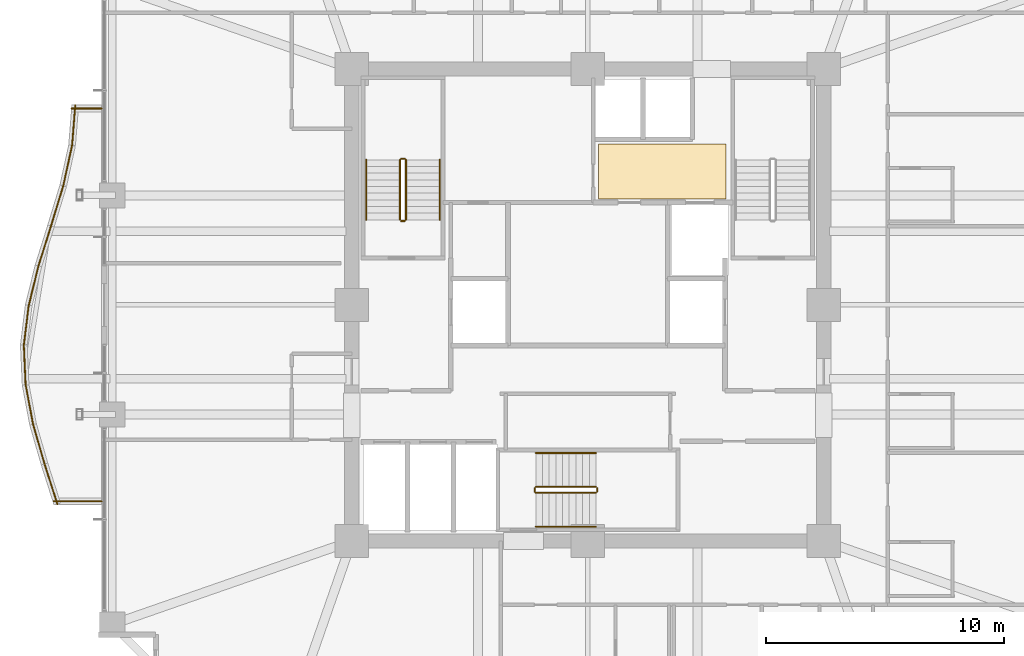
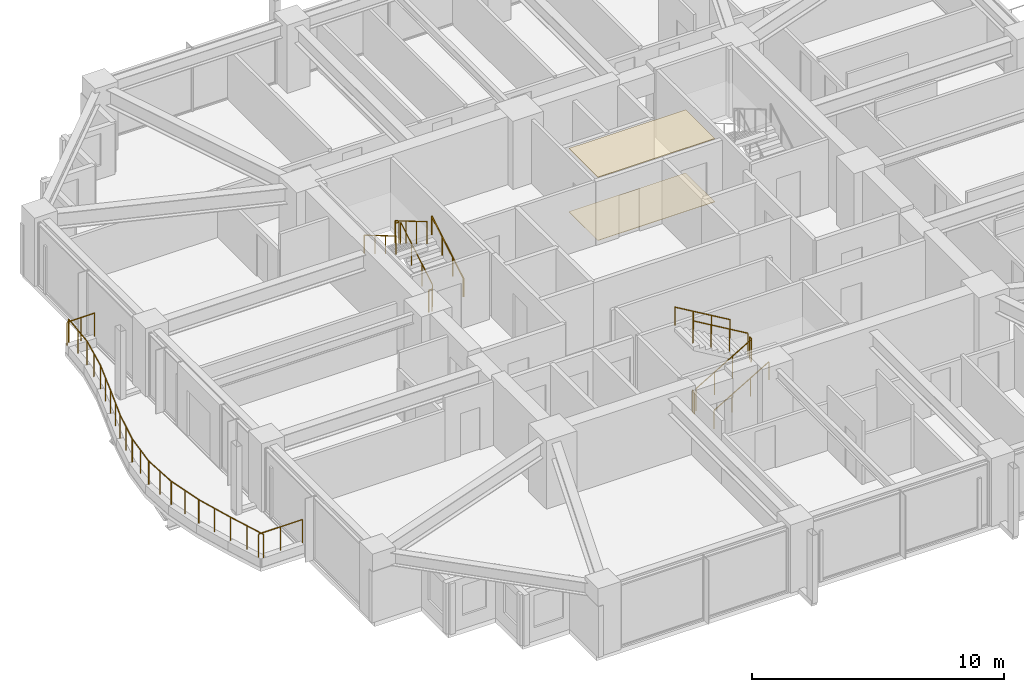
# One storey, part 36 of 37: 24 railings, 2 coverings.
"""IFC4 building model written with IfcOpenShell, lengths in metres."""

from ifc_helpers import new_model, si_unit, direction, frame, origin, origin_2d, place, context, subcontext, project, spatial, polyline, circle, outline, extrude, material, layer, layer_set, type_object, element, save


model = new_model("IFC4")

# Units and contexts
model_context = context("Model", 3, precision=1e-05, world=origin(), true_north=direction((0.0, 1.0)))
body_context = subcontext(model_context, "Body", "Model", "MODEL_VIEW")
ifc_project = project(units=[si_unit("LENGTHUNIT", "METRE"), si_unit("AREAUNIT", "SQUARE_METRE"), si_unit("VOLUMEUNIT", "CUBIC_METRE"), si_unit("PLANEANGLEUNIT", "RADIAN"), si_unit("MASSUNIT", "GRAM", prefix="KILO")], contexts=[model_context])

# Site, building, storey
site_placement = place(None, origin())
site = spatial("IfcSite", under=ifc_project, at=site_placement, CompositionType="ELEMENT")
building_placement = place(site_placement, origin())
building = spatial("IfcBuilding", under=site, at=building_placement, Name="Kolvaren Belvedere", CompositionType="ELEMENT")
storey_placement = place(building_placement, frame((0.0, 0.0, 75.5)))
storey = spatial("IfcBuildingStorey", under=building, at=storey_placement, Name="L21", CompositionType="ELEMENT", Elevation=75.5)

# Coverings
ifc_material_1 = material(Name="Acoustic perforated gypsum board", Category="gypsum")
ifc_layer_1 = layer(ifc_material_1, 0.02490234375)
ifc_layer_set_1 = layer_set([ifc_layer_1], Name="Acoustic perforated gypsum board")
covering_type_1 = type_object("IfcCoveringType", Name="COV-CEIL-GYP", PredefinedType="CEILING", material=ifc_layer_set_1)
covering_1_placement = place(storey_placement, frame((0.0, 0.0, 3.054931640625)))
element("IfcCovering", 1, at=covering_1_placement, inside=storey, type_object=covering_type_1, Name="L21 Lift Lobby Acoustic Baffle Ceiling", PredefinedType="CEILING", context=body_context, shape_type="SweptSolid", body=[
    extrude(outline(polyline([(0.449951171875, 4.449951171875), (5.800048828125, 4.449951171875), (5.800048828125, 6.75), (0.449951171875, 6.75), (0.449951171875, 4.449951171875)])), origin(), (0.0, 0.0, 1.0), 0.025146484375),
])
ifc_material_2 = material(Name="Engineered Pacific white oak", Category="timber")
ifc_layer_2 = layer(ifc_material_2, 0.02001953125)
ifc_layer_set_2 = layer_set([ifc_layer_2], Name="Engineered Pacific white oak")
covering_type_2 = type_object("IfcCoveringType", Name="COV-FLR-OAK", PredefinedType="FLOORING", material=ifc_layer_set_2)
covering_2_placement = place(storey_placement, origin())
element("IfcCovering", 2, at=covering_2_placement, inside=storey, type_object=covering_type_2, Name="L21 Lift Lobby Finish Flooring", PredefinedType="FLOORING", context=body_context, shape_type="SweptSolid", body=[
    extrude(outline(polyline([(0.449951171875, 4.449951171875), (5.800048828125, 4.449951171875), (5.800048828125, 6.75), (0.449951171875, 6.75), (0.449951171875, 4.449951171875)])), origin(), (0.0, 0.0, 1.0), 0.02001953125),
])

# Railings
ifc_material_3 = material(Name="Anodised pale-metal aluminium & laminated glass guard", Category="aluminium")
railing_type_1 = type_object("IfcRailingType", Name="RL-GUARD-1150", PredefinedType="GUARDRAIL", material=ifc_material_3)
railing_1_placement = place(storey_placement, frame((-21.50048828125, 8.38720703125, 0.3798828125)))
element("IfcRailing", 3, at=railing_1_placement, inside=storey, type_object=railing_type_1, Name="L21 Exterior Deck Safety Guard BAL-W-1", PredefinedType="GUARDRAIL", context=body_context, shape_type="SweptSolid", body=[
    extrude(circle(Radius=0.02392578125, at=origin_2d()), frame((0.0, 0.0, 1.1259765625), z_axis=(-0.079244268248, -0.99685522818, 0.0), x_axis=(0.99685522818, -0.079244268248, 0.0)), (0.0, 0.0, 1.0), 1.685302734375),
    extrude(circle(Radius=0.02099609375, at=origin_2d()), origin(), (0.0, 0.0, 1.0), 1.101806640625),
    extrude(circle(Radius=0.02099609375, at=origin_2d()), frame((-0.06689453125, -0.83984375, 0.0)), (0.0, 0.0, 1.0), 1.101806640625),
    extrude(circle(Radius=0.02099609375, at=origin_2d()), frame((-0.133544921875, -1.679931640625, 0.0)), (0.0, 0.0, 1.0), 1.101806640625),
])
railing_2_placement = place(storey_placement, frame((-21.63720703125, 6.685791015625, 0.3798828125)))
element("IfcRailing", 4, at=railing_2_placement, inside=storey, type_object=railing_type_1, Name="L21 Exterior Deck Safety Guard BAL-W-2", PredefinedType="GUARDRAIL", context=body_context, shape_type="SweptSolid", body=[
    extrude(circle(Radius=0.02392578125, at=origin_2d()), frame((0.0, 0.0, 1.1259765625), z_axis=(-0.213802724545, -0.976876857632, 0.0), x_axis=(0.976876857632, -0.213802724545, 0.0)), (0.0, 0.0, 1.0), 1.7197265625),
    extrude(circle(Radius=0.02099609375, at=origin_2d()), origin(), (0.0, 0.0, 1.0), 1.101806640625),
    extrude(circle(Radius=0.02099609375, at=origin_2d()), frame((-0.183837890625, -0.83984375, 0.0)), (0.0, 0.0, 1.0), 1.101806640625),
    extrude(circle(Radius=0.02099609375, at=origin_2d()), frame((-0.36767578125, -1.679931640625, 0.0)), (0.0, 0.0, 1.0), 1.101806640625),
])
railing_3_placement = place(storey_placement, frame((-22.00830078125, 4.993408203125, 0.3798828125)))
element("IfcRailing", 5, at=railing_3_placement, inside=storey, type_object=railing_type_1, Name="L21 Exterior Deck Safety Guard BAL-W-3", PredefinedType="GUARDRAIL", context=body_context, shape_type="SweptSolid", body=[
    extrude(circle(Radius=0.02392578125, at=origin_2d()), frame((0.0, 0.0, 1.1259765625), z_axis=(-0.290879426191, -0.956759718748, 0.0), x_axis=(0.956759718748, -0.290879426191, 0.0)), (0.0, 0.0, 1.0), 1.755859375),
    extrude(circle(Radius=0.02099609375, at=origin_2d()), origin(), (0.0, 0.0, 1.0), 1.101806640625),
    extrude(circle(Radius=0.02099609375, at=origin_2d()), frame((-0.25537109375, -0.83984375, 0.0)), (0.0, 0.0, 1.0), 1.101806640625),
    extrude(circle(Radius=0.02099609375, at=origin_2d()), frame((-0.5107421875, -1.679931640625, 0.0)), (0.0, 0.0, 1.0), 1.101806640625),
])
railing_4_placement = place(storey_placement, frame((-22.51953125, 3.31201171875, 0.3798828125)))
element("IfcRailing", 6, at=railing_4_placement, inside=storey, type_object=railing_type_1, Name="L21 Exterior Deck Safety Guard BAL-W-4", PredefinedType="GUARDRAIL", context=body_context, shape_type="SweptSolid", body=[
    extrude(circle(Radius=0.02392578125, at=origin_2d()), frame((0.0, 0.0, 1.1259765625), z_axis=(-0.299624691176, -0.954057149461, 0.0), x_axis=(0.954057149461, -0.299624691176, 0.0)), (0.0, 0.0, 1.0), 1.7607421875),
    extrude(circle(Radius=0.02099609375, at=origin_2d()), origin(), (0.0, 0.0, 1.0), 1.101806640625),
    extrude(circle(Radius=0.02099609375, at=origin_2d()), frame((-0.263671875, -0.83984375, 0.0)), (0.0, 0.0, 1.0), 1.101806640625),
    extrude(circle(Radius=0.02099609375, at=origin_2d()), frame((-0.527587890625, -1.679931640625, 0.0)), (0.0, 0.0, 1.0), 1.101806640625),
])
railing_5_placement = place(storey_placement, frame((-23.04443359375, 1.6416015625, 0.3798828125)))
element("IfcRailing", 7, at=railing_5_placement, inside=storey, type_object=railing_type_1, Name="L21 Exterior Deck Safety Guard BAL-W-5", PredefinedType="GUARDRAIL", context=body_context, shape_type="SweptSolid", body=[
    extrude(circle(Radius=0.02392578125, at=origin_2d()), frame((0.0, 0.0, 1.1259765625), z_axis=(-0.239180748277, -0.970975061293, 0.0), x_axis=(0.970975061293, -0.239180748277, 0.0)), (0.0, 0.0, 1.0), 1.730224609375),
    extrude(circle(Radius=0.02099609375, at=origin_2d()), origin(), (0.0, 0.0, 1.0), 1.101806640625),
    extrude(circle(Radius=0.02099609375, at=origin_2d()), frame((-0.20703125, -0.83984375, 0.0)), (0.0, 0.0, 1.0), 1.101806640625),
    extrude(circle(Radius=0.02099609375, at=origin_2d()), frame((-0.413818359375, -1.679931640625, 0.0)), (0.0, 0.0, 1.0), 1.101806640625),
])
railing_6_placement = place(storey_placement, frame((-23.454833984375, -0.01953125, 0.3798828125)))
element("IfcRailing", 8, at=railing_6_placement, inside=storey, type_object=railing_type_1, Name="L21 Exterior Deck Safety Guard BAL-W-6", PredefinedType="GUARDRAIL", context=body_context, shape_type="SweptSolid", body=[
    extrude(circle(Radius=0.02392578125, at=origin_2d()), frame((0.0, 0.0, 1.1259765625), z_axis=(-0.121886315522, -0.99254406758, 0.0), x_axis=(0.99254406758, -0.121886315522, 0.0)), (0.0, 0.0, 1.0), 1.692626953125),
    extrude(circle(Radius=0.02099609375, at=origin_2d()), origin(), (0.0, 0.0, 1.0), 1.101806640625),
    extrude(circle(Radius=0.02099609375, at=origin_2d()), frame((-0.10302734375, -0.83984375, 0.0)), (0.0, 0.0, 1.0), 1.101806640625),
    extrude(circle(Radius=0.02099609375, at=origin_2d()), frame((-0.206298828125, -1.679931640625, 0.0)), (0.0, 0.0, 1.0), 1.101806640625),
])
railing_7_placement = place(storey_placement, frame((-23.66015625, -1.6728515625, 0.3798828125)))
element("IfcRailing", 9, at=railing_7_placement, inside=storey, type_object=railing_type_1, Name="L21 Exterior Deck Safety Guard BAL-W-7", PredefinedType="GUARDRAIL", context=body_context, shape_type="SweptSolid", body=[
    extrude(circle(Radius=0.02392578125, at=origin_2d()), frame((0.0, 0.0, 1.1259765625), z_axis=(0.045005941428, -0.998986719249, 0.0), x_axis=(0.998986719249, 0.045005941428, 0.0)), (0.0, 0.0, 1.0), 1.681640625),
    extrude(circle(Radius=0.02099609375, at=origin_2d()), origin(), (0.0, 0.0, 1.0), 1.101806640625),
    extrude(circle(Radius=0.02099609375, at=origin_2d()), frame((0.037841796875, -0.83984375, 0.0)), (0.0, 0.0, 1.0), 1.101806640625),
    extrude(circle(Radius=0.02099609375, at=origin_2d()), frame((0.07568359375, -1.679931640625, 0.0)), (0.0, 0.0, 1.0), 1.101806640625),
])
railing_8_placement = place(storey_placement, frame((-23.5869140625, -3.330322265625, 0.3798828125)))
element("IfcRailing", 10, at=railing_8_placement, inside=storey, type_object=railing_type_1, Name="L21 Exterior Deck Safety Guard BAL-W-8", PredefinedType="GUARDRAIL", context=body_context, shape_type="SweptSolid", body=[
    extrude(circle(Radius=0.02392578125, at=origin_2d()), frame((0.0, 0.0, 1.1259765625), z_axis=(0.184650661912, -0.982804219087, 0.0), x_axis=(0.982804219087, 0.184650661912, 0.0)), (0.0, 0.0, 1.0), 1.70947265625),
    extrude(circle(Radius=0.02099609375, at=origin_2d()), origin(), (0.0, 0.0, 1.0), 1.101806640625),
    extrude(circle(Radius=0.02099609375, at=origin_2d()), frame((0.15771484375, -0.840087890625, 0.0)), (0.0, 0.0, 1.0), 1.101806640625),
    extrude(circle(Radius=0.02099609375, at=origin_2d()), frame((0.315673828125, -1.68017578125, 0.0)), (0.0, 0.0, 1.0), 1.101806640625),
])
railing_9_placement = place(storey_placement, frame((-23.274658203125, -4.99560546875, 0.3798828125)))
element("IfcRailing", 11, at=railing_9_placement, inside=storey, type_object=railing_type_1, Name="L21 Exterior Deck Safety Guard BAL-W-9", PredefinedType="GUARDRAIL", context=body_context, shape_type="SweptSolid", body=[
    extrude(circle(Radius=0.02392578125, at=origin_2d()), frame((0.0, 0.0, 1.1259765625), z_axis=(0.277817391164, -0.960633903819, 0.0), x_axis=(0.960633903819, 0.277817391164, 0.0)), (0.0, 0.0, 1.0), 1.748779296875),
    extrude(circle(Radius=0.02099609375, at=origin_2d()), origin(), (0.0, 0.0, 1.0), 1.101806640625),
    extrude(circle(Radius=0.02099609375, at=origin_2d()), frame((0.242919921875, -0.83984375, 0.0)), (0.0, 0.0, 1.0), 1.101806640625),
    extrude(circle(Radius=0.02099609375, at=origin_2d()), frame((0.48583984375, -1.679931640625, 0.0)), (0.0, 0.0, 1.0), 1.101806640625),
])
railing_10_placement = place(storey_placement, frame((-22.7900390625, -6.67138671875, 0.3798828125)))
element("IfcRailing", 12, at=railing_10_placement, inside=storey, type_object=railing_type_1, Name="L21 Exterior Deck Safety Guard BAL-W-10", PredefinedType="GUARDRAIL", context=body_context, shape_type="SweptSolid", body=[
    extrude(circle(Radius=0.02392578125, at=origin_2d()), frame((0.0, 0.0, 1.1259765625), z_axis=(0.304032153573, -0.952661770826, 0.0), x_axis=(0.952661770826, 0.304032153573, 0.0)), (0.0, 0.0, 1.0), 1.763427734375),
    extrude(circle(Radius=0.02099609375, at=origin_2d()), origin(), (0.0, 0.0, 1.0), 1.101806640625),
    extrude(circle(Radius=0.02099609375, at=origin_2d()), frame((0.26806640625, -0.83984375, 0.0)), (0.0, 0.0, 1.0), 1.101806640625),
    extrude(circle(Radius=0.02099609375, at=origin_2d()), frame((0.5361328125, -1.679931640625, 0.0)), (0.0, 0.0, 1.0), 1.101806640625),
])
railing_11_placement = place(storey_placement, frame((-22.40625, -8.239990234375, 0.3798828125)))
element("IfcRailing", 13, at=railing_11_placement, inside=storey, type_object=railing_type_1, Name="L21 Exterior Deck Safety Guard BAL-W-11", PredefinedType="GUARDRAIL", context=body_context, shape_type="SweptSolid", body=[
    extrude(circle(Radius=0.02392578125, at=origin_2d()), frame((0.0, 0.0, 1.1259765625), z_axis=(1.0, 0.0, 0.0), x_axis=(0.0, 1.0, 0.0)), (0.0, 0.0, 1.0), 2.00634765625),
    extrude(circle(Radius=0.02099609375, at=origin_2d()), origin(), (0.0, 0.0, 1.0), 1.101806640625),
    extrude(circle(Radius=0.02099609375, at=origin_2d()), frame((1.003173828125, 0.0, 0.0)), (0.0, 0.0, 1.0), 1.101806640625),
    extrude(circle(Radius=0.02099609375, at=origin_2d()), frame((2.00634765625, 0.0, 0.0)), (0.0, 0.0, 1.0), 1.101806640625),
])
railing_12_placement = place(storey_placement, frame((-20.39990234375, 8.239990234375, 0.3798828125)))
element("IfcRailing", 14, at=railing_12_placement, inside=storey, type_object=railing_type_1, Name="L21 Exterior Deck Safety Guard BAL-W-22", PredefinedType="GUARDRAIL", context=body_context, shape_type="SweptSolid", body=[
    extrude(circle(Radius=0.02392578125, at=origin_2d()), frame((0.0, 0.0, 1.1259765625), z_axis=(-1.0, 0.0, 0.0), x_axis=(0.0, -1.0, 0.0)), (0.0, 0.0, 1.0), 1.260009765625),
    extrude(circle(Radius=0.02099609375, at=origin_2d()), origin(), (0.0, 0.0, 1.0), 1.101806640625),
    extrude(circle(Radius=0.02099609375, at=origin_2d()), frame((-0.6298828125, 0.0, 0.0)), (0.0, 0.0, 1.0), 1.101806640625),
    extrude(circle(Radius=0.02099609375, at=origin_2d()), frame((-1.260009765625, 0.0, 0.0)), (0.0, 0.0, 1.0), 1.101806640625),
])
ifc_material_4 = material(Name="Brushed stainless-steel handrail", Category="steel")
railing_type_2 = type_object("IfcRailingType", Name="RL-HANDRAIL-920", PredefinedType="HANDRAIL", material=ifc_material_4)
railing_13_placement = place(storey_placement, frame((-6.2099609375, 3.570068359375, 0.1650390625)))
element("IfcRailing", 15, at=railing_13_placement, inside=storey, type_object=railing_type_2, Name="L21 ST-1 stair handrail 1", PredefinedType="HANDRAIL", context=body_context, shape_type="SweptSolid", body=[
    extrude(circle(Radius=0.02392578125, at=origin_2d()), frame((0.0, 0.0, 0.8759765625), z_axis=(0.0, 0.861560626758, 0.507654692109), x_axis=(-1.0, 0.0, 0.0)), (0.0, 0.0, 1.0), 2.925048828125),
    extrude(circle(Radius=0.02099609375, at=origin_2d()), origin(), (0.0, 0.0, 1.0), 0.851806640625),
    extrude(circle(Radius=0.02099609375, at=origin_2d()), frame((0.0, 0.840087890625, 0.494873046875)), (0.0, 0.0, 1.0), 0.851806640625),
    extrude(circle(Radius=0.02099609375, at=origin_2d()), frame((0.0, 1.679931640625, 0.989990234375)), (0.0, 0.0, 1.0), 0.851806640625),
    extrude(circle(Radius=0.02099609375, at=origin_2d()), frame((0.0, 2.52001953125, 1.48486328125)), (0.0, 0.0, 1.0), 0.851806640625),
])
railing_14_placement = place(storey_placement, frame((-9.300048828125, 6.090087890625, 1.81494140625)))
element("IfcRailing", 16, at=railing_14_placement, inside=storey, type_object=railing_type_2, Name="L21 ST-1 stair handrail 2", PredefinedType="HANDRAIL", context=body_context, shape_type="SweptSolid", body=[
    extrude(circle(Radius=0.02392578125, at=origin_2d()), frame((0.0, 0.0, 0.8759765625), z_axis=(0.0, -0.86152411907, 0.507716645641), x_axis=(1.0, 0.0, 0.0)), (0.0, 0.0, 1.0), 2.925048828125),
    extrude(circle(Radius=0.02099609375, at=origin_2d()), origin(), (0.0, 0.0, 1.0), 0.851806640625),
    extrude(circle(Radius=0.02099609375, at=origin_2d()), frame((0.0, -0.840087890625, 0.4951171875)), (0.0, 0.0, 1.0), 0.851806640625),
    extrude(circle(Radius=0.02099609375, at=origin_2d()), frame((0.0, -1.679931640625, 0.989990234375)), (0.0, 0.0, 1.0), 0.851806640625),
    extrude(circle(Radius=0.02099609375, at=origin_2d()), frame((0.0, -2.52001953125, 1.485107421875)), (0.0, 0.0, 1.0), 0.851806640625),
])
railing_15_placement = place(storey_placement, frame((-2.179931640625, -9.300048828125, 0.1650390625)))
element("IfcRailing", 17, at=railing_15_placement, inside=storey, type_object=railing_type_2, Name="L21 ST-3 stair handrail 1", PredefinedType="HANDRAIL", context=body_context, shape_type="SweptSolid", body=[
    extrude(circle(Radius=0.02392578125, at=origin_2d()), frame((0.0, 0.0, 0.8759765625), z_axis=(0.861560626758, 0.0, 0.507654692109), x_axis=(0.0, 1.0, 0.0)), (0.0, 0.0, 1.0), 2.925048828125),
    extrude(circle(Radius=0.02099609375, at=origin_2d()), origin(), (0.0, 0.0, 1.0), 0.851806640625),
    extrude(circle(Radius=0.02099609375, at=origin_2d()), frame((0.840087890625, 0.0, 0.494873046875)), (0.0, 0.0, 1.0), 0.851806640625),
    extrude(circle(Radius=0.02099609375, at=origin_2d()), frame((1.679931640625, 0.0, 0.989990234375)), (0.0, 0.0, 1.0), 0.851806640625),
    extrude(circle(Radius=0.02099609375, at=origin_2d()), frame((2.52001953125, 0.0, 1.48486328125)), (0.0, 0.0, 1.0), 0.851806640625),
])
railing_16_placement = place(storey_placement, frame((0.340087890625, -6.2099609375, 1.81494140625)))
element("IfcRailing", 18, at=railing_16_placement, inside=storey, type_object=railing_type_2, Name="L21 ST-3 stair handrail 2", PredefinedType="HANDRAIL", context=body_context, shape_type="SweptSolid", body=[
    extrude(circle(Radius=0.02392578125, at=origin_2d()), frame((0.0, 0.0, 0.8759765625), z_axis=(-0.86152411907, 0.0, 0.507716645641), x_axis=(0.0, -1.0, 0.0)), (0.0, 0.0, 1.0), 2.925048828125),
    extrude(circle(Radius=0.02099609375, at=origin_2d()), origin(), (0.0, 0.0, 1.0), 0.851806640625),
    extrude(circle(Radius=0.02099609375, at=origin_2d()), frame((-0.840087890625, 0.0, 0.4951171875)), (0.0, 0.0, 1.0), 0.851806640625),
    extrude(circle(Radius=0.02099609375, at=origin_2d()), frame((-1.679931640625, 0.0, 0.989990234375)), (0.0, 0.0, 1.0), 0.851806640625),
    extrude(circle(Radius=0.02099609375, at=origin_2d()), frame((-2.52001953125, 0.0, 1.485107421875)), (0.0, 0.0, 1.0), 0.851806640625),
])
ifc_material_5 = material(Name="Painted tubular steel stair guard", Category="steel")
railing_type_3 = type_object("IfcRailingType", Name="RL-STGUARD-1100", PredefinedType="GUARDRAIL", material=ifc_material_5)
railing_17_placement = place(storey_placement, frame((-7.6298828125, 3.570068359375, 0.1650390625)))
element("IfcRailing", 19, at=railing_17_placement, inside=storey, type_object=railing_type_3, Name="L21 ST-1 stair guard 1", PredefinedType="GUARDRAIL", context=body_context, shape_type="SweptSolid", body=[
    extrude(circle(Radius=0.02392578125, at=origin_2d()), frame((0.0, 0.0, 1.076171875), z_axis=(0.0, 0.861560626758, 0.507654692109), x_axis=(-1.0, 0.0, 0.0)), (0.0, 0.0, 1.0), 2.925048828125),
    extrude(circle(Radius=0.02099609375, at=origin_2d()), origin(), (0.0, 0.0, 1.0), 1.052001953125),
    extrude(circle(Radius=0.02099609375, at=origin_2d()), frame((0.0, 0.840087890625, 0.494873046875)), (0.0, 0.0, 1.0), 1.052001953125),
    extrude(circle(Radius=0.02099609375, at=origin_2d()), frame((0.0, 1.679931640625, 0.989990234375)), (0.0, 0.0, 1.0), 1.052001953125),
    extrude(circle(Radius=0.02099609375, at=origin_2d()), frame((0.0, 2.52001953125, 1.48486328125)), (0.0, 0.0, 1.0), 1.052001953125),
])
railing_18_placement = place(storey_placement, frame((-7.679931640625, 6.139892578125, 1.64990234375)))
element("IfcRailing", 20, at=railing_18_placement, inside=storey, type_object=railing_type_3, Name="L21 ST-1 stair guard 2", PredefinedType="GUARDRAIL", context=body_context, shape_type="SweptSolid", body=[
    extrude(circle(Radius=0.02392578125, at=origin_2d()), frame((0.0, 0.0, 1.076171875), z_axis=(-1.0, 0.0, 0.0), x_axis=(0.0, -1.0, 0.0)), (0.0, 0.0, 1.0), 0.150146484375),
    extrude(circle(Radius=0.02099609375, at=origin_2d()), origin(), (0.0, 0.0, 1.0), 1.052001953125),
    extrude(circle(Radius=0.02099609375, at=origin_2d()), frame((-0.150146484375, 0.0, 0.0)), (0.0, 0.0, 1.0), 1.052001953125),
])
railing_19_placement = place(storey_placement, frame((-7.8798828125, 6.090087890625, 1.81494140625)))
element("IfcRailing", 21, at=railing_19_placement, inside=storey, type_object=railing_type_3, Name="L21 ST-1 stair guard 3", PredefinedType="GUARDRAIL", context=body_context, shape_type="SweptSolid", body=[
    extrude(circle(Radius=0.02392578125, at=origin_2d()), frame((0.0, 0.0, 1.076171875), z_axis=(0.0, -0.86152411907, 0.507716645641), x_axis=(1.0, 0.0, 0.0)), (0.0, 0.0, 1.0), 2.925048828125),
    extrude(circle(Radius=0.02099609375, at=origin_2d()), origin(), (0.0, 0.0, 1.0), 1.052001953125),
    extrude(circle(Radius=0.02099609375, at=origin_2d()), frame((0.0, -0.840087890625, 0.4951171875)), (0.0, 0.0, 1.0), 1.052001953125),
    extrude(circle(Radius=0.02099609375, at=origin_2d()), frame((0.0, -1.679931640625, 0.989990234375)), (0.0, 0.0, 1.0), 1.052001953125),
    extrude(circle(Radius=0.02099609375, at=origin_2d()), frame((0.0, -2.52001953125, 1.485107421875)), (0.0, 0.0, 1.0), 1.052001953125),
])
railing_20_placement = place(storey_placement, frame((-7.679931640625, 3.52001953125, 0.0)))
element("IfcRailing", 22, at=railing_20_placement, inside=storey, type_object=railing_type_3, Name="L21 ST-1 stair guard 4", PredefinedType="GUARDRAIL", context=body_context, shape_type="SweptSolid", body=[
    extrude(circle(Radius=0.02392578125, at=origin_2d()), frame((0.0, 0.0, 1.076171875), z_axis=(-1.0, 0.0, 0.0), x_axis=(0.0, -1.0, 0.0)), (0.0, 0.0, 1.0), 0.150146484375),
    extrude(circle(Radius=0.02099609375, at=origin_2d()), origin(), (0.0, 0.0, 1.0), 1.052001953125),
    extrude(circle(Radius=0.02099609375, at=origin_2d()), frame((-0.150146484375, 0.0, 0.0)), (0.0, 0.0, 1.0), 1.052001953125),
])
railing_21_placement = place(storey_placement, frame((-2.179931640625, -7.8798828125, 0.1650390625)))
element("IfcRailing", 23, at=railing_21_placement, inside=storey, type_object=railing_type_3, Name="L21 ST-3 stair guard 1", PredefinedType="GUARDRAIL", context=body_context, shape_type="SweptSolid", body=[
    extrude(circle(Radius=0.02392578125, at=origin_2d()), frame((0.0, 0.0, 1.076171875), z_axis=(0.861560626758, 0.0, 0.507654692109), x_axis=(0.0, 1.0, 0.0)), (0.0, 0.0, 1.0), 2.925048828125),
    extrude(circle(Radius=0.02099609375, at=origin_2d()), origin(), (0.0, 0.0, 1.0), 1.052001953125),
    extrude(circle(Radius=0.02099609375, at=origin_2d()), frame((0.840087890625, 0.0, 0.494873046875)), (0.0, 0.0, 1.0), 1.052001953125),
    extrude(circle(Radius=0.02099609375, at=origin_2d()), frame((1.679931640625, 0.0, 0.989990234375)), (0.0, 0.0, 1.0), 1.052001953125),
    extrude(circle(Radius=0.02099609375, at=origin_2d()), frame((2.52001953125, 0.0, 1.48486328125)), (0.0, 0.0, 1.0), 1.052001953125),
])
railing_22_placement = place(storey_placement, frame((0.389892578125, -7.830078125, 1.64990234375)))
element("IfcRailing", 24, at=railing_22_placement, inside=storey, type_object=railing_type_3, Name="L21 ST-3 stair guard 2", PredefinedType="GUARDRAIL", context=body_context, shape_type="SweptSolid", body=[
    extrude(circle(Radius=0.02392578125, at=origin_2d()), frame((0.0, 0.0, 1.076171875), z_axis=(0.0, 1.0, 0.0), x_axis=(-1.0, 0.0, 0.0)), (0.0, 0.0, 1.0), 0.150146484375),
    extrude(circle(Radius=0.02099609375, at=origin_2d()), origin(), (0.0, 0.0, 1.0), 1.052001953125),
    extrude(circle(Radius=0.02099609375, at=origin_2d()), frame((0.0, 0.150146484375, 0.0)), (0.0, 0.0, 1.0), 1.052001953125),
])
railing_23_placement = place(storey_placement, frame((0.340087890625, -7.6298828125, 1.81494140625)))
element("IfcRailing", 25, at=railing_23_placement, inside=storey, type_object=railing_type_3, Name="L21 ST-3 stair guard 3", PredefinedType="GUARDRAIL", context=body_context, shape_type="SweptSolid", body=[
    extrude(circle(Radius=0.02392578125, at=origin_2d()), frame((0.0, 0.0, 1.076171875), z_axis=(-0.86152411907, 0.0, 0.507716645641), x_axis=(0.0, -1.0, 0.0)), (0.0, 0.0, 1.0), 2.925048828125),
    extrude(circle(Radius=0.02099609375, at=origin_2d()), origin(), (0.0, 0.0, 1.0), 1.052001953125),
    extrude(circle(Radius=0.02099609375, at=origin_2d()), frame((-0.840087890625, 0.0, 0.4951171875)), (0.0, 0.0, 1.0), 1.052001953125),
    extrude(circle(Radius=0.02099609375, at=origin_2d()), frame((-1.679931640625, 0.0, 0.989990234375)), (0.0, 0.0, 1.0), 1.052001953125),
    extrude(circle(Radius=0.02099609375, at=origin_2d()), frame((-2.52001953125, 0.0, 1.485107421875)), (0.0, 0.0, 1.0), 1.052001953125),
])
railing_24_placement = place(storey_placement, frame((-2.22998046875, -7.830078125, 0.0)))
element("IfcRailing", 26, at=railing_24_placement, inside=storey, type_object=railing_type_3, Name="L21 ST-3 stair guard 4", PredefinedType="GUARDRAIL", context=body_context, shape_type="SweptSolid", body=[
    extrude(circle(Radius=0.02392578125, at=origin_2d()), frame((0.0, 0.0, 1.076171875), z_axis=(0.0, 1.0, 0.0), x_axis=(-1.0, 0.0, 0.0)), (0.0, 0.0, 1.0), 0.150146484375),
    extrude(circle(Radius=0.02099609375, at=origin_2d()), origin(), (0.0, 0.0, 1.0), 1.052001953125),
    extrude(circle(Radius=0.02099609375, at=origin_2d()), frame((0.0, 0.150146484375, 0.0)), (0.0, 0.0, 1.0), 1.052001953125),
])

save(model, "model.ifc")
